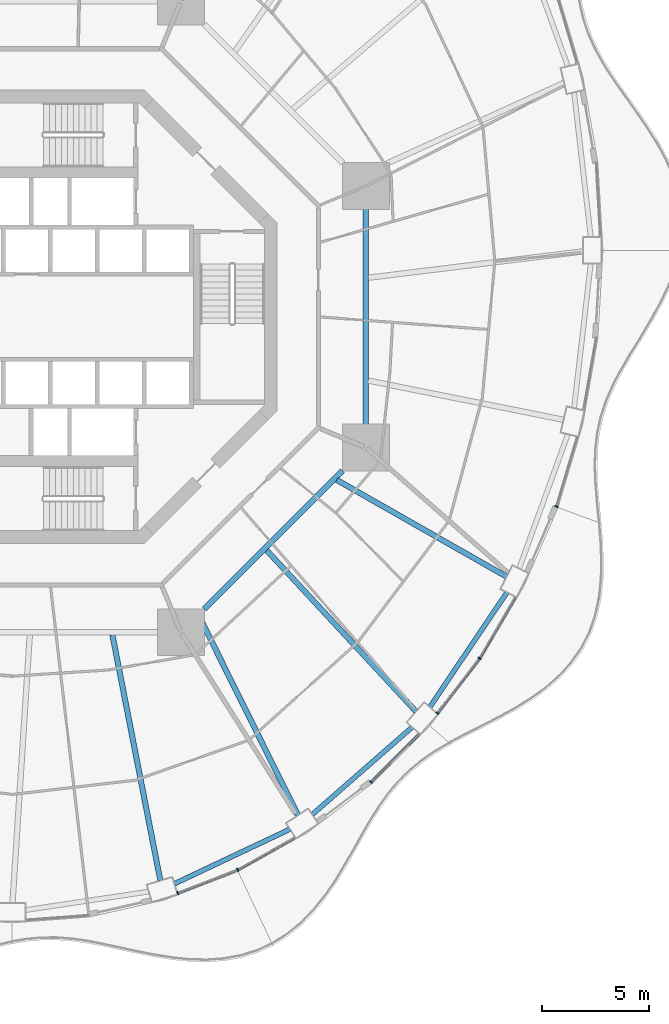
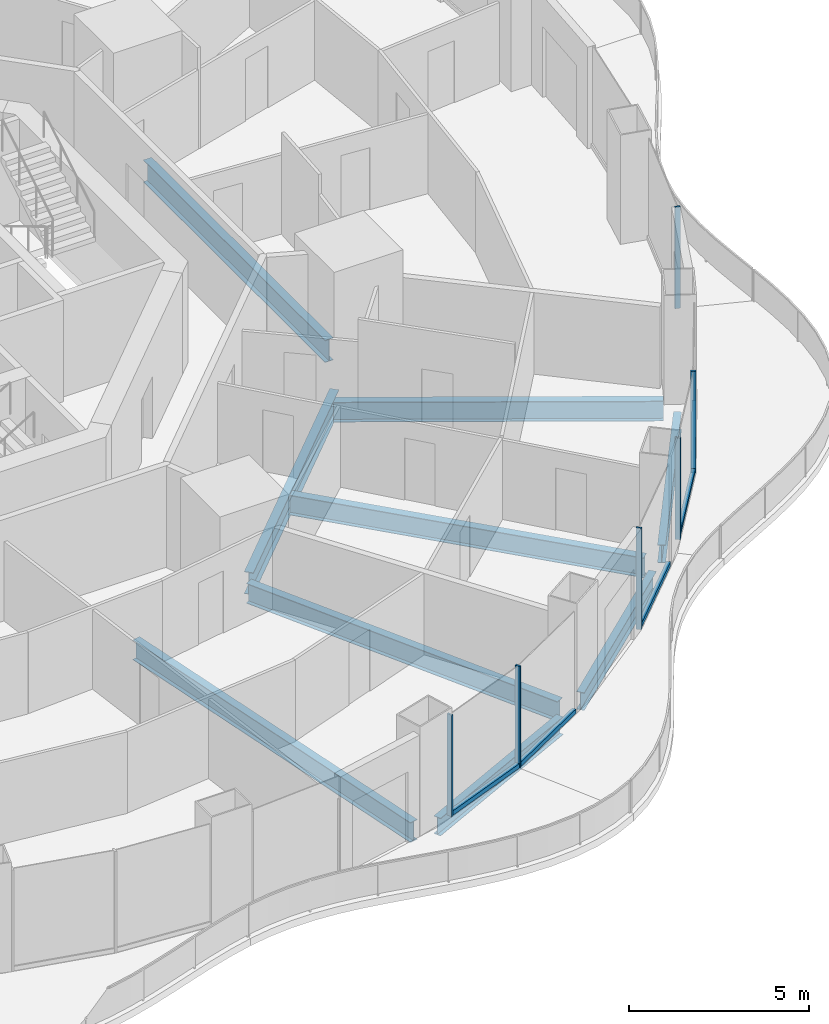
# One storey, part 5 of 22: 11 members, 9 beams, 6 elements without a shape of their own.
"""IFC4 building model written with IfcOpenShell, lengths in metres."""

from ifc_helpers import new_model, si_unit, direction, frame, origin, origin_2d, place, context, subcontext, project, spatial, rectangle, i_section, extrude, material, layer, layer_set, material_profile, profile_set, type_object, element, aggregate, save


model = new_model("IFC4")

# Units and contexts
model_context = context("Model", 3, precision=1e-05, world=origin(), true_north=direction((0.0, 1.0)))
body_context = subcontext(model_context, "Body", "Model", "MODEL_VIEW")
ifc_project = project(units=[si_unit("LENGTHUNIT", "METRE"), si_unit("AREAUNIT", "SQUARE_METRE"), si_unit("VOLUMEUNIT", "CUBIC_METRE"), si_unit("PLANEANGLEUNIT", "RADIAN"), si_unit("MASSUNIT", "GRAM", prefix="KILO")], contexts=[model_context])

# Site, building, storey
site_placement = place(None, origin())
site = spatial("IfcSite", under=ifc_project, at=site_placement, CompositionType="ELEMENT")
building_placement = place(site_placement, origin())
building = spatial("IfcBuilding", under=site, at=building_placement, Name="Nagisa Residences", CompositionType="ELEMENT")
storey_placement = place(building_placement, frame((0.0, 0.0, 91.800048828125)))
storey = spatial("IfcBuildingStorey", under=building, at=storey_placement, Name="L22", CompositionType="ELEMENT", Elevation=91.800048828125)

# Curtain wall, member
ifc_material_1 = material(Name="Concrete-coloured aluminium curtain wall system", Category="concrete")
ifc_layer = layer(ifc_material_1, 0.159912109375)
ifc_layer_set = layer_set([ifc_layer], Name="CW1 CURTAIN WALL")
curtain_wall_type = type_object("IfcCurtainWallType", Name="CW1 CURTAIN WALL", PredefinedType="NOTDEFINED", material=ifc_layer_set)
curtain_wall_1_placement = place(storey_placement, origin())
curtain_wall_1 = element("IfcCurtainWall", 1, at=curtain_wall_1_placement, inside=storey, type_object=curtain_wall_type, Name="cw:CW1:L22:38", PredefinedType="NOTDEFINED")
ifc_material_2 = material(Name="Concrete-coloured aluminium", Category="concrete")
ifc_material_profile_1 = material_profile(ifc_material_2, rectangle(XDim=0.159912109375, YDim=0.06005859375, at=origin_2d()), Name="CW1 MULLION 160x60")
ifc_profile_set_1 = profile_set([ifc_material_profile_1], Name="Concrete-coloured aluminium")
member_type_1 = type_object("IfcMemberType", Name="CW1 MULLION 160x60", PredefinedType="MULLION", material=ifc_profile_set_1)
member_1_placement = place(storey_placement, frame((5.973388671875, -27.00390625, 0.0), z_axis=(0.0, 0.0, 1.0), x_axis=(-0.360327770268, 0.932825759707, 0.0)))
member_1 = element("IfcMember", 2, at=member_1_placement, type_object=member_type_1, Name="CW1 mullion", PredefinedType="MULLION", context=body_context, shape_type="SweptSolid", body=[
    extrude(rectangle(XDim=0.159912109375, YDim=0.06005859375, at=origin_2d()), origin(), (0.0, 0.0, 1.0), 3.43994140625),
])

curtain_wall_2_placement = place(storey_placement, origin())
curtain_wall_2 = element("IfcCurtainWall", 3, at=curtain_wall_2_placement, inside=storey, type_object=curtain_wall_type, Name="cw:CW1:L22:39", PredefinedType="NOTDEFINED")
member_2_placement = place(storey_placement, frame((8.785400390625, -25.913818359375, 0.0), z_axis=(0.0, 0.0, 1.0), x_axis=(-0.489376918501, 0.872072377523, 0.0)))
member_2 = element("IfcMember", 4, at=member_2_placement, type_object=member_type_1, Name="CW1 mullion", PredefinedType="MULLION", context=body_context, shape_type="SweptSolid", body=[
    extrude(rectangle(XDim=0.159912109375, YDim=0.06005859375, at=origin_2d()), origin(), (0.0, 0.0, 1.0), 3.43994140625),
])

curtain_wall_3_placement = place(storey_placement, origin())
curtain_wall_3 = element("IfcCurtainWall", 5, at=curtain_wall_3_placement, inside=storey, type_object=curtain_wall_type, Name="cw:CW1:L22:41", PredefinedType="NOTDEFINED")
member_3_placement = place(storey_placement, frame((15.0244140625, -21.80712890625, 0.0), z_axis=(0.0, 0.0, 1.0), x_axis=(-0.706376885714, 0.707835924016, 0.0)))
member_3 = element("IfcMember", 6, at=member_3_placement, type_object=member_type_1, Name="CW1 mullion", PredefinedType="MULLION", context=body_context, shape_type="SweptSolid", body=[
    extrude(rectangle(XDim=0.159912109375, YDim=0.06005859375, at=origin_2d()), origin(), (0.0, 0.0, 1.0), 3.43994140625),
])

curtain_wall_4_placement = place(storey_placement, origin())
curtain_wall_4 = element("IfcCurtainWall", 7, at=curtain_wall_4_placement, inside=storey, type_object=curtain_wall_type, Name="cw:CW1:L22:42", PredefinedType="NOTDEFINED")
member_4_placement = place(storey_placement, frame((18.135009765625, -18.579345703125, 0.0), z_axis=(0.0, 0.0, 1.0), x_axis=(-0.792070340816, 0.610429828235, 0.0)))
member_4 = element("IfcMember", 8, at=member_4_placement, type_object=member_type_1, Name="CW1 mullion", PredefinedType="MULLION", context=body_context, shape_type="SweptSolid", body=[
    extrude(rectangle(XDim=0.159912109375, YDim=0.06005859375, at=origin_2d()), origin(), (0.0, 0.0, 1.0), 3.43994140625),
])

curtain_wall_5_placement = place(storey_placement, origin())
curtain_wall_5 = element("IfcCurtainWall", 9, at=curtain_wall_5_placement, inside=storey, type_object=curtain_wall_type, Name="cw:CW1:L22:43", PredefinedType="NOTDEFINED")
member_5_placement = place(storey_placement, frame((20.1181640625, -16.0009765625, 0.0), z_axis=(0.0, 0.0, 1.0), x_axis=(-0.862328898214, 0.506348567002, 0.0)))
member_5 = element("IfcMember", 10, at=member_5_placement, type_object=member_type_1, Name="CW1 mullion", PredefinedType="MULLION", context=body_context, shape_type="SweptSolid", body=[
    extrude(rectangle(XDim=0.159912109375, YDim=0.06005859375, at=origin_2d()), origin(), (0.0, 0.0, 1.0), 3.43994140625),
])

curtain_wall_6_placement = place(storey_placement, origin())
curtain_wall_6 = element("IfcCurtainWall", 11, at=curtain_wall_6_placement, inside=storey, type_object=curtain_wall_type, Name="cw:CW1:L22:45", PredefinedType="NOTDEFINED")
member_6_placement = place(storey_placement, frame((23.71875, -8.890869140625, 0.0), z_axis=(0.0, 0.0, 1.0), x_axis=(-0.958271310082, 0.285860274038, 0.0)))
member_6 = element("IfcMember", 12, at=member_6_placement, type_object=member_type_1, Name="CW1 mullion", PredefinedType="MULLION", context=body_context, shape_type="SweptSolid", body=[
    extrude(rectangle(XDim=0.159912109375, YDim=0.06005859375, at=origin_2d()), origin(), (0.0, 0.0, 1.0), 3.43994140625),
])
aggregate(curtain_wall_6, [member_6])

# Member
ifc_material_3 = material(Name="Concrete-coloured aluminium", Category="concrete")
ifc_material_profile_2 = material_profile(ifc_material_3, rectangle(XDim=0.1201171875, YDim=0.14990234375, at=origin_2d()), Name="CW1 TRANSOM 120x150")
ifc_profile_set_2 = profile_set([ifc_material_profile_2], Name="Concrete-coloured aluminium")
member_type_2 = type_object("IfcMemberType", Name="CW1 TRANSOM 120x150", PredefinedType="USERDEFINED", material=ifc_profile_set_2)
member_7_placement = place(storey_placement, frame((5.945556640625, -27.0146484375, 0.074951171875), z_axis=(0.932827091302, 0.360324322982, 0.0), x_axis=(-0.360324322982, 0.932827091302, 0.0)))
member_7 = element("IfcMember", 13, at=member_7_placement, type_object=member_type_2, Name="CW1 transom", ObjectType="TRANSOM", PredefinedType="USERDEFINED", context=body_context, shape_type="SweptSolid", body=[
    extrude(rectangle(XDim=0.1201171875, YDim=0.14990234375, at=origin_2d()), origin(), (0.0, 0.0, 1.0), 3.02734375),
])

aggregate(curtain_wall_1, [member_1, member_7])

member_8_placement = place(storey_placement, frame((8.75927734375, -25.9287109375, 0.074951171875), z_axis=(0.872037280335, 0.489439456631, 0.0), x_axis=(-0.489439456631, 0.872037280335, 0.0)))
member_8 = element("IfcMember", 14, at=member_8_placement, type_object=member_type_2, Name="CW1 transom", ObjectType="TRANSOM", PredefinedType="USERDEFINED", context=body_context, shape_type="SweptSolid", body=[
    extrude(rectangle(XDim=0.1201171875, YDim=0.14990234375, at=origin_2d()), origin(), (0.0, 0.0, 1.0), 3.07568359375),
])

aggregate(curtain_wall_2, [member_2, member_8])

member_9_placement = place(storey_placement, frame((15.003173828125, -21.828125, 0.074951171875), z_axis=(0.707831724839, 0.70638109354, 0.0), x_axis=(-0.70638109354, 0.707831724839, 0.0)))
member_9 = element("IfcMember", 15, at=member_9_placement, type_object=member_type_2, Name="CW1 transom", ObjectType="TRANSOM", PredefinedType="USERDEFINED", context=body_context, shape_type="SweptSolid", body=[
    extrude(rectangle(XDim=0.1201171875, YDim=0.14990234375, at=origin_2d()), origin(), (0.0, 0.0, 1.0), 3.19775390625),
])

aggregate(curtain_wall_3, [member_3, member_9])

member_10_placement = place(storey_placement, frame((18.11669921875, -18.60302734375, 0.074951171875), z_axis=(0.610458970322, 0.792047880847, 0.0), x_axis=(-0.792047880847, 0.610458970322, 0.0)))
member_10 = element("IfcMember", 16, at=member_10_placement, type_object=member_type_2, Name="CW1 transom", ObjectType="TRANSOM", PredefinedType="USERDEFINED", context=body_context, shape_type="SweptSolid", body=[
    extrude(rectangle(XDim=0.1201171875, YDim=0.14990234375, at=origin_2d()), origin(), (0.0, 0.0, 1.0), 3.262939453125),
])

aggregate(curtain_wall_4, [member_4, member_10])

member_11_placement = place(storey_placement, frame((20.10302734375, -16.02685546875, 0.074951171875), z_axis=(0.506329983076, 0.86233981019, 0.0), x_axis=(-0.86233981019, 0.506329983076, 0.0)))
member_11 = element("IfcMember", 17, at=member_11_placement, type_object=member_type_2, Name="CW1 transom", ObjectType="TRANSOM", PredefinedType="USERDEFINED", context=body_context, shape_type="SweptSolid", body=[
    extrude(rectangle(XDim=0.1201171875, YDim=0.14990234375, at=origin_2d()), origin(), (0.0, 0.0, 1.0), 3.32470703125),
])

aggregate(curtain_wall_5, [member_5, member_11])

# Beams
ifc_material_4 = material(Name="Steel ASTM A572 Gr 50", Category="steel")
ifc_material_profile_3 = material_profile(ifc_material_4, i_section(OverallWidth=0.264892578125, OverallDepth=0.7529296875, WebThickness=0.01318359375, FlangeThickness=0.01708984375, at=origin_2d()), Name="W760x147")
ifc_profile_set_3 = profile_set([ifc_material_profile_3], Name="Steel ASTM A572 Gr 50")
beam_type_1 = type_object("IfcBeamType", Name="Inner ring beam W760x147", PredefinedType="BEAM", material=ifc_profile_set_3)
beam_1_placement = place(storey_placement, frame((7.208740234375, -13.6962890625, -0.636474609375), z_axis=(0.707106781187, 0.707106781187, 0.0), x_axis=(-0.707106781187, 0.707106781187, 0.0)))
element("IfcBeam", 18, at=beam_1_placement, inside=storey, type_object=beam_type_1, Name="beam:L22:ib7", PredefinedType="BEAM", context=body_context, shape_type="SweptSolid", body=[
    extrude(i_section(OverallWidth=0.264892578125, OverallDepth=0.7529296875, WebThickness=0.01318359375, FlangeThickness=0.01708984375, at=origin_2d()), origin(), (0.0, 0.0, 1.0), 9.1748046875),
])
beam_2_placement = place(storey_placement, frame((14.781982421875, -5.04296875, -0.636474609375), z_axis=(0.0, 1.0, 0.0), x_axis=(-1.0, 0.0, 0.0)))
element("IfcBeam", 19, at=beam_2_placement, inside=storey, type_object=beam_type_1, Name="beam:L22:ib8", PredefinedType="BEAM", context=body_context, shape_type="SweptSolid", body=[
    extrude(i_section(OverallWidth=0.264892578125, OverallDepth=0.7529296875, WebThickness=0.01318359375, FlangeThickness=0.01708984375, at=origin_2d()), origin(), (0.0, 0.0, 1.0), 10.0859375),
])
ifc_material_5 = material(Name="Steel ASTM A572 Gr 50", Category="steel")
ifc_material_profile_4 = material_profile(ifc_material_5, i_section(OverallWidth=0.22802734375, OverallDepth=0.60302734375, WebThickness=0.010498046875, FlangeThickness=0.014892578125, at=origin_2d()), Name="W610x101")
ifc_profile_set_4 = profile_set([ifc_material_profile_4], Name="Steel ASTM A572 Gr 50")
beam_type_2 = type_object("IfcBeamType", Name="Perimeter ring beam W610x101", PredefinedType="BEAM", material=ifc_profile_set_4)
beam_3_placement = place(storey_placement, frame((5.814453125, -26.568359375, -0.5615234375), z_axis=(0.904196975776, 0.427115709144, 0.0), x_axis=(-0.427115709144, 0.904196975776, 0.0)))
element("IfcBeam", 20, at=beam_3_placement, inside=storey, type_object=beam_type_2, Name="beam:L22:pb20", PredefinedType="BEAM", context=body_context, shape_type="SweptSolid", body=[
    extrude(i_section(OverallWidth=0.22802734375, OverallDepth=0.60302734375, WebThickness=0.010498046875, FlangeThickness=0.014892578125, at=origin_2d()), origin(), (0.0, 0.0, 1.0), 5.980712890625),
])
beam_4_placement = place(storey_placement, frame((12.2763671875, -23.322998046875, -0.5615234375), z_axis=(0.752525569707, 0.658563031863, 0.0), x_axis=(-0.658563031863, 0.752525569707, 0.0)))
element("IfcBeam", 21, at=beam_4_placement, inside=storey, type_object=beam_type_2, Name="beam:L22:pb21", PredefinedType="BEAM", context=body_context, shape_type="SweptSolid", body=[
    extrude(i_section(OverallWidth=0.22802734375, OverallDepth=0.60302734375, WebThickness=0.010498046875, FlangeThickness=0.014892578125, at=origin_2d()), origin(), (0.0, 0.0, 1.0), 6.21240234375),
])
beam_5_placement = place(storey_placement, frame((17.784423828125, -18.2861328125, -0.5615234375), z_axis=(0.558229575935, 0.829686531499, 0.0), x_axis=(-0.829686531499, 0.558229575935, 0.0)))
element("IfcBeam", 22, at=beam_5_placement, inside=storey, type_object=beam_type_2, Name="beam:L22:pb22", PredefinedType="BEAM", context=body_context, shape_type="SweptSolid", body=[
    extrude(i_section(OverallWidth=0.22802734375, OverallDepth=0.60302734375, WebThickness=0.010498046875, FlangeThickness=0.014892578125, at=origin_2d()), origin(), (0.0, 0.0, 1.0), 6.471923828125),
])
ifc_material_6 = material(Name="Steel ASTM A572 Gr 50", Category="steel")
ifc_material_profile_5 = material_profile(ifc_material_6, i_section(OverallWidth=0.2529296875, OverallDepth=0.677978515625, WebThickness=0.01171875, FlangeThickness=0.016357421875, at=origin_2d()), Name="W690x125")
ifc_profile_set_5 = profile_set([ifc_material_profile_5], Name="Steel ASTM A572 Gr 50")
beam_type_3 = type_object("IfcBeamType", Name="Radial beam W690x125", PredefinedType="BEAM", material=ifc_profile_set_5)
beam_6_placement = place(storey_placement, frame((5.15576171875, -26.416015625, -0.59912109375), z_axis=(-0.191554340045, 0.981482009417, 0.0), x_axis=(-0.981482009417, -0.191554340045, 0.0)))
element("IfcBeam", 23, at=beam_6_placement, inside=storey, type_object=beam_type_3, Name="beam:L22:rb20", PredefinedType="BEAM", context=body_context, shape_type="SweptSolid", body=[
    extrude(i_section(OverallWidth=0.2529296875, OverallDepth=0.677978515625, WebThickness=0.01171875, FlangeThickness=0.016357421875, at=origin_2d()), origin(), (0.0, 0.0, 1.0), 11.73828125),
])
beam_7_placement = place(storey_placement, frame((11.604736328125, -23.35400390625, -0.59912109375), z_axis=(-0.444988448889, 0.895536308787, 0.0), x_axis=(-0.895536308787, -0.444988448889, 0.0)))
element("IfcBeam", 24, at=beam_7_placement, inside=storey, type_object=beam_type_3, Name="beam:L22:rb21", PredefinedType="BEAM", context=body_context, shape_type="SweptSolid", body=[
    extrude(i_section(OverallWidth=0.2529296875, OverallDepth=0.677978515625, WebThickness=0.01171875, FlangeThickness=0.016357421875, at=origin_2d()), origin(), (0.0, 0.0, 1.0), 10.364013671875),
])
beam_8_placement = place(storey_placement, frame((17.135986328125, -18.49609375, -0.59912109375), z_axis=(-0.67961674612, 0.733567364591, 0.0), x_axis=(-0.733567364591, -0.67961674612, 0.0)))
element("IfcBeam", 25, at=beam_8_placement, inside=storey, type_object=beam_type_3, Name="beam:L22:rb22", PredefinedType="BEAM", context=body_context, shape_type="SweptSolid", body=[
    extrude(i_section(OverallWidth=0.2529296875, OverallDepth=0.677978515625, WebThickness=0.01171875, FlangeThickness=0.016357421875, at=origin_2d()), origin(), (0.0, 0.0, 1.0), 10.30859375),
])
beam_9_placement = place(storey_placement, frame((21.37744140625, -12.1767578125, -0.59912109375), z_axis=(-0.868924854865, 0.494944033804, 0.0), x_axis=(-0.494944033804, -0.868924854865, 0.0)))
element("IfcBeam", 26, at=beam_9_placement, inside=storey, type_object=beam_type_3, Name="beam:L22:rb23", PredefinedType="BEAM", context=body_context, shape_type="SweptSolid", body=[
    extrude(i_section(OverallWidth=0.2529296875, OverallDepth=0.677978515625, WebThickness=0.01171875, FlangeThickness=0.016357421875, at=origin_2d()), origin(), (0.0, 0.0, 1.0), 9.156982421875),
])

save(model, "model.ifc")
